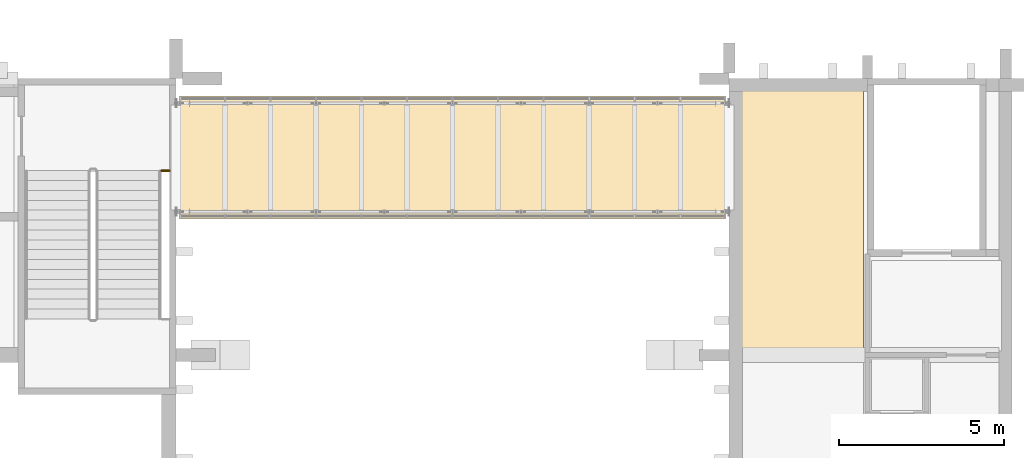
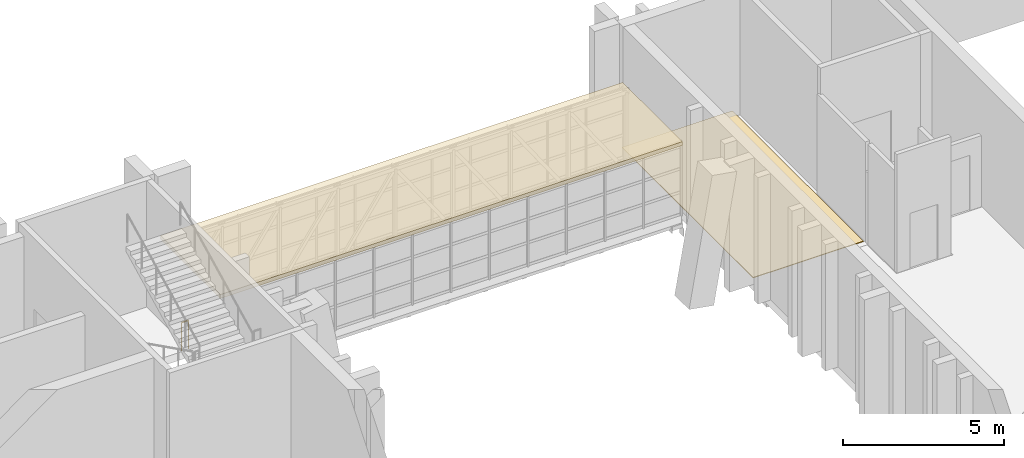
# One storey, part 87 of 91: 2 coverings, 1 railing.
"""IFC4 building model written with IfcOpenShell, lengths in metres."""

from ifc_helpers import new_model, si_unit, direction, frame, origin, origin_2d, place, context, subcontext, project, spatial, polyline, circle, outline, extrude, material, layer, layer_set, type_object, element, save


model = new_model("IFC4")

# Units and contexts
model_context = context("Model", 3, precision=1e-05, world=origin(), true_north=direction((0.0, 1.0)))
body_context = subcontext(model_context, "Body", "Model", "MODEL_VIEW")
ifc_project = project(units=[si_unit("LENGTHUNIT", "METRE"), si_unit("AREAUNIT", "SQUARE_METRE"), si_unit("VOLUMEUNIT", "CUBIC_METRE"), si_unit("PLANEANGLEUNIT", "RADIAN"), si_unit("MASSUNIT", "GRAM", prefix="KILO")], contexts=[model_context])

# Site, building, storey
site_placement = place(None, origin())
site = spatial("IfcSite", under=ifc_project, at=site_placement, CompositionType="ELEMENT")
building_placement = place(site_placement, origin())
building = spatial("IfcBuilding", under=site, at=building_placement, Name="Kiln Court Media Centre", CompositionType="ELEMENT")
storey_placement = place(building_placement, frame((0.0, 0.0, 5.39990234375)))
storey = spatial("IfcBuildingStorey", under=building, at=storey_placement, Name="L01", CompositionType="ELEMENT", Elevation=5.39990234375)

# Coverings
ifc_material_1 = material(Name="Steel ASTM A572 Gr 50 with insulated core", Category="steel")
ifc_layer_1 = layer(ifc_material_1, 0.14990234375)
ifc_layer_set_1 = layer_set([ifc_layer_1], Name="Insulated steel sandwich bridge roof 150")
covering_type_1 = type_object("IfcCoveringType", Name="Insulated steel sandwich bridge roof 150", PredefinedType="ROOFING", material=ifc_layer_set_1)
covering_1_placement = place(storey_placement, frame((0.0, 0.0, 2.675048828125)))
element("IfcCovering", 1, at=covering_1_placement, inside=storey, type_object=covering_type_1, Name="BR-3 roof", PredefinedType="ROOFING", context=body_context, shape_type="SweptSolid", body=[
    extrude(outline(polyline([(100.89990234375, 62.945068359375), (117.5, 62.945068359375), (117.5, 66.655029296875), (100.89990234375, 66.655029296875), (100.89990234375, 62.945068359375)])), origin(), (0.0, 0.0, 1.0), 0.150146484375),
])
ifc_material_2 = material(Name="Terrazzo")
ifc_layer_2 = layer(ifc_material_2, 0.02490234375)
ifc_layer_set_2 = layer_set([ifc_layer_2], Name="Polished terrazzo floor finish 25")
covering_type_2 = type_object("IfcCoveringType", Name="Polished terrazzo floor finish 25", PredefinedType="FLOORING", material=ifc_layer_set_2)
covering_2_placement = place(storey_placement, origin())
element("IfcCovering", 2, at=covering_2_placement, inside=storey, type_object=covering_type_2, Name="Bridge Lobby floor finish", PredefinedType="FLOORING", context=body_context, shape_type="SweptSolid", body=[
    extrude(outline(polyline([(117.719970703125, 58.919921875), (121.679931640625, 58.919921875), (121.679931640625, 67.080078125), (117.719970703125, 67.080078125), (117.719970703125, 58.919921875)])), origin(), (0.0, 0.0, 1.0), 0.025146484375),
])

# Railing
ifc_material_3 = material(Name="Steel S275", Category="steel")
railing_type = type_object("IfcRailingType", Name="Steel S275 stair guard 1100", PredefinedType="GUARDRAIL", material=ifc_material_3)
railing_placement = place(storey_placement, frame((100.35009765625, 64.39990234375, 0.0)))
element("IfcRailing", 3, at=railing_placement, inside=storey, type_object=railing_type, Name="ST-12 landing edge guard", PredefinedType="GUARDRAIL", context=body_context, shape_type="SweptSolid", body=[
    extrude(circle(Radius=0.02392578125, at=origin_2d()), frame((0.0, 0.0, 1.076171875), z_axis=(1.0, 0.0, 0.0), x_axis=(0.0, 1.0, 0.0)), (0.0, 0.0, 1.0), 0.25),
    extrude(circle(Radius=0.02099609375, at=origin_2d()), origin(), (0.0, 0.0, 1.0), 1.052001953125),
    extrude(circle(Radius=0.02099609375, at=origin_2d()), frame((0.25, 0.0, 0.0)), (0.0, 0.0, 1.0), 1.052001953125),
])

save(model, "model.ifc")
